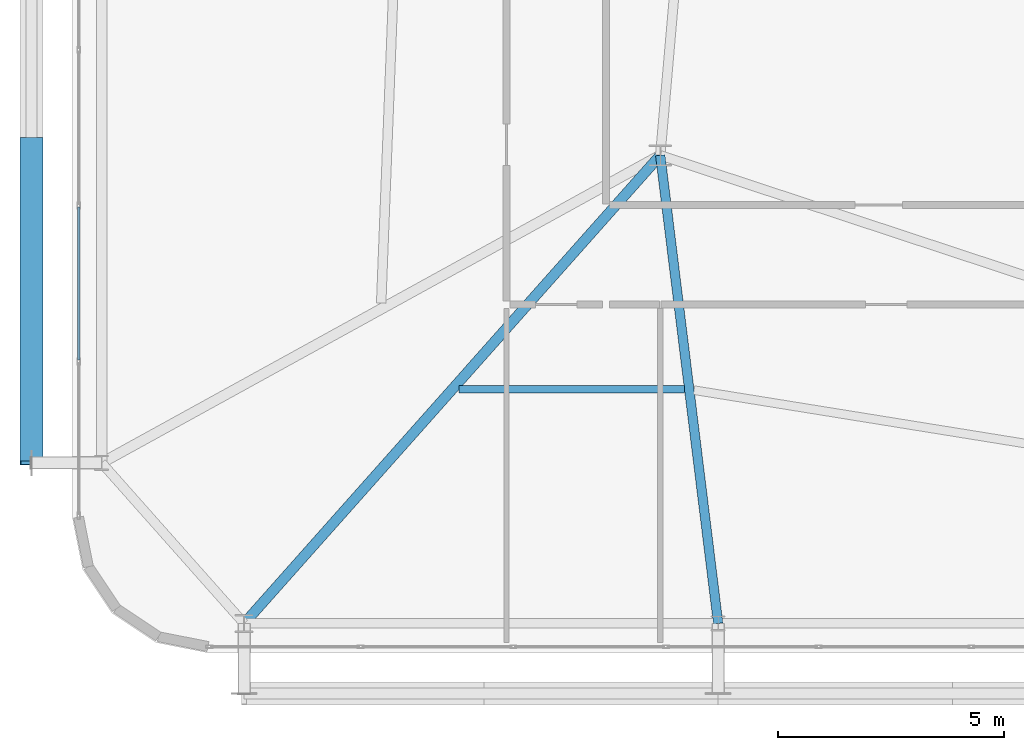
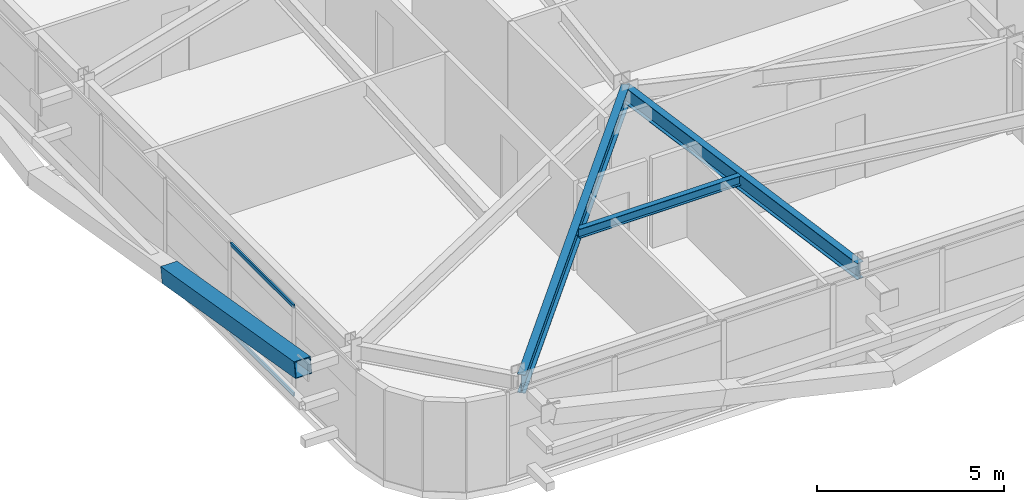
# One storey, part 7 of 59: 3 beams, 3 members, 1 element without a shape of its own.
"""IFC4 building model written with IfcOpenShell, lengths in metres."""

from ifc_helpers import new_model, si_unit, direction, frame, origin, origin_2d, place, context, subcontext, project, spatial, hollow_rectangle, i_section, extrude, source, transform, mapped, material, layer, layer_set, material_profile, profile_set, type_object, element, aggregate, save


model = new_model("IFC4")

# Units and contexts
model_context = context("Model", 3, precision=1e-05, world=origin(), true_north=direction((0.0, 1.0)))
body_context = subcontext(model_context, "Body", "Model", "MODEL_VIEW")
ifc_project = project(units=[si_unit("LENGTHUNIT", "METRE"), si_unit("AREAUNIT", "SQUARE_METRE"), si_unit("VOLUMEUNIT", "CUBIC_METRE"), si_unit("PLANEANGLEUNIT", "RADIAN"), si_unit("MASSUNIT", "GRAM", prefix="KILO")], contexts=[model_context])

# Site, building, storey
site_placement = place(None, origin())
site = spatial("IfcSite", under=ifc_project, at=site_placement, CompositionType="ELEMENT")
building_placement = place(site_placement, origin())
building = spatial("IfcBuilding", under=site, at=building_placement, Name="Taldren Reach Tower", CompositionType="ELEMENT")
storey_placement = place(building_placement, frame((0.0, 0.0, 45.14990234375)))
storey = spatial("IfcBuildingStorey", under=building, at=storey_placement, Name="L13", CompositionType="ELEMENT", Elevation=45.14990234375)

# Beams
ifc_material_1 = material(Name="Steel Gr 350 (350PLUS)", Category="steel")
ifc_material_profile_1 = material_profile(ifc_material_1, i_section(OverallWidth=0.22802734375, OverallDepth=0.60205078125, WebThickness=0.010498046875, FlangeThickness=0.014892578125, at=origin_2d()), Name="610UB101")
ifc_profile_set_1 = profile_set([ifc_material_profile_1], Name="Steel Gr 350 (350PLUS)")
beam_type_1 = type_object("IfcBeamType", Name="BM-UB610B", PredefinedType="BEAM", material=ifc_profile_set_1)
shared_shape_1 = source(origin(), body_context, "Body", "SweptSolid", [
    extrude(i_section(OverallWidth=0.22802734375, OverallDepth=0.60205078125, WebThickness=0.010498046875, FlangeThickness=0.014892578125, at=origin_2d()), origin(), (0.0, 0.0, 1.0), 13.847900390625),
])
beam_1_placement = place(storey_placement, frame((18.0, 12.5, 2.629150390625), z_axis=(-0.664358367375, -0.747414182164, 0.0), x_axis=(0.747414182164, -0.664358367375, 0.0)))
element("IfcBeam", 1, at=beam_1_placement, inside=storey, type_object=beam_type_1, Name="Primary floor girder B1-S1 L13", PredefinedType="BEAM", context=body_context, shape_type="MappedRepresentation", body=[
    mapped(shared_shape_1, transform((0.0, 0.0, 0.0), scale=1.0)),
])
ifc_material_profile_2 = material_profile(ifc_material_1, i_section(OverallWidth=0.208984375, OverallDepth=0.532958984375, WebThickness=0.01025390625, FlangeThickness=0.015625, at=origin_2d()), Name="530UB92.4")
ifc_profile_set_2 = profile_set([ifc_material_profile_2], Name="Steel Gr 350 (350PLUS)")
beam_type_2 = type_object("IfcBeamType", Name="BM-UB530A", PredefinedType="BEAM", material=ifc_profile_set_2)
shared_shape_2 = source(origin(), body_context, "Body", "SweptSolid", [
    extrude(i_section(OverallWidth=0.208984375, OverallDepth=0.532958984375, WebThickness=0.01025390625, FlangeThickness=0.015625, at=origin_2d()), origin(), (0.0, 0.0, 1.0), 10.428955078125),
])
beam_2_placement = place(storey_placement, frame((18.0, 12.5, 2.66357421875), z_axis=(0.122738080664, -0.992439098159, 0.0), x_axis=(0.992439098159, 0.122738080664, 0.0)))
element("IfcBeam", 2, at=beam_2_placement, inside=storey, type_object=beam_type_2, Name="Primary floor girder B1-S2 L13", PredefinedType="BEAM", context=body_context, shape_type="MappedRepresentation", body=[
    mapped(shared_shape_2, transform((0.0, 0.0, 0.0), scale=1.0)),
])
ifc_material_2 = material(Name="Steel Gr 300 (300PLUS, 300 MPa)", Category="steel")
ifc_material_profile_3 = material_profile(ifc_material_2, i_section(OverallWidth=0.166015625, OverallDepth=0.306884765625, WebThickness=0.006591796875, FlangeThickness=0.01171875, at=origin_2d()), Name="310UB46.2")
ifc_profile_set_3 = profile_set([ifc_material_profile_3], Name="Steel Gr 300 (300PLUS, 300 MPa)")
beam_type_3 = type_object("IfcBeamType", Name="JS-UB310", PredefinedType="JOIST", material=ifc_profile_set_3)
shared_shape_3 = source(origin(), body_context, "Body", "SweptSolid", [
    extrude(i_section(OverallWidth=0.166015625, OverallDepth=0.306884765625, WebThickness=0.006591796875, FlangeThickness=0.01171875, at=origin_2d()), origin(), (0.0, 0.0, 1.0), 4.982177734375),
])
beam_3_placement = place(storey_placement, frame((13.552490234375, 7.324951171875, 2.776611328125), z_axis=(1.0, 0.0, 0.0), x_axis=(0.0, 1.0, 0.0)))
element("IfcBeam", 3, at=beam_3_placement, inside=storey, type_object=beam_type_3, Name="Secondary floor joist B1 J1 L13", PredefinedType="JOIST", context=body_context, shape_type="MappedRepresentation", body=[
    mapped(shared_shape_3, transform((0.0, 0.0, 0.0), scale=1.0)),
])

# Member
ifc_material_3 = material(Name="Steel Gr 450 (C450L0)", Category="steel")
ifc_material_profile_4 = material_profile(ifc_material_3, hollow_rectangle(XDim=0.510009765625, YDim=0.510009765625, WallThickness=0.02001953125, at=origin_2d()), Name="510x510x20.0SHS")
ifc_profile_set_4 = profile_set([ifc_material_profile_4], Name="Steel Gr 450 (C450L0)")
member_type_1 = type_object("IfcMemberType", Name="MB-EXO508", PredefinedType="BRACE", material=ifc_profile_set_4)
shared_shape_4 = source(origin(), body_context, "Body", "SweptSolid", [
    extrude(hollow_rectangle(XDim=0.510009765625, YDim=0.510009765625, WallThickness=0.02001953125, at=origin_2d()), origin(), (0.0, 0.0, 1.0), 7.252685546875),
])
member_1_placement = place(storey_placement, frame((4.10009765625, 12.85009765625, 1.43505859375), z_axis=(0.0, -0.985865800628, 0.167536930711), x_axis=(1.0, 0.0, 0.0)))
element("IfcMember", 4, at=member_1_placement, inside=storey, type_object=member_type_1, Name="Exoskeleton Diagrid Brace B1-W1 L13", PredefinedType="BRACE", context=body_context, shape_type="MappedRepresentation", body=[
    mapped(shared_shape_4, transform((0.0, 0.0, 0.0), scale=1.0)),
])

# Curtain wall, members
ifc_material_4 = material(Name="Aluminium and Low-E Glass Unitised System", Category="aluminium")
ifc_layer = layer(ifc_material_4, 0.159912109375)
ifc_layer_set = layer_set([ifc_layer], Name="Aluminium and Low-E Glass Unitised System")
curtain_wall_type = type_object("IfcCurtainWallType", Name="CW-SYS-2", PredefinedType="NOTDEFINED", material=ifc_layer_set)
curtain_wall_placement = place(storey_placement, origin())
curtain_wall = element("IfcCurtainWall", 5, at=curtain_wall_placement, inside=storey, type_object=curtain_wall_type, Name="Unitised curtain wall CW-L13-W", PredefinedType="NOTDEFINED")
ifc_material_5 = material(Name="Anodised Aluminium 6063-T6", Category="aluminium")
ifc_material_profile_5 = material_profile(ifc_material_5, hollow_rectangle(XDim=0.054931640625, YDim=0.1201171875, WallThickness=0.0029296875, at=origin_2d()), Name="ALU-120x55x3RHS")
ifc_profile_set_5 = profile_set([ifc_material_profile_5], Name="Anodised Aluminium 6063-T6")
member_type_2 = type_object("IfcMemberType", Name="CW-TRN-135", PredefinedType="USERDEFINED", material=ifc_profile_set_5)
shared_shape_5 = source(origin(), body_context, "Body", "SweptSolid", [
    extrude(hollow_rectangle(XDim=0.054931640625, YDim=0.1201171875, WallThickness=0.0029296875, at=origin_2d()), origin(), (0.0, 0.0, 1.0), 3.37939453125),
])
member_2_placement = place(storey_placement, frame((5.139892578125, 11.3564453125, 0.027587890625), z_axis=(0.0, -1.0, 0.0), x_axis=(1.0, 0.0, 0.0)))
member_2 = element("IfcMember", 6, at=member_2_placement, type_object=member_type_2, Name="CW-2 transom 8.1", ObjectType="TRANSOM", PredefinedType="USERDEFINED", context=body_context, shape_type="MappedRepresentation", body=[
    mapped(shared_shape_5, transform((0.0, 0.0, 0.0), scale=1.0)),
])
member_3_placement = place(storey_placement, frame((5.139892578125, 11.3564453125, 2.902587890625), z_axis=(0.0, -1.0, 0.0), x_axis=(1.0, 0.0, 0.0)))
member_3 = element("IfcMember", 7, at=member_3_placement, type_object=member_type_2, Name="CW-2 transom 8.2", ObjectType="TRANSOM", PredefinedType="USERDEFINED", context=body_context, shape_type="MappedRepresentation", body=[
    mapped(shared_shape_5, transform((0.0, 0.0, 0.0), scale=1.0)),
])
aggregate(curtain_wall, [member_2, member_3])

save(model, "model.ifc")
